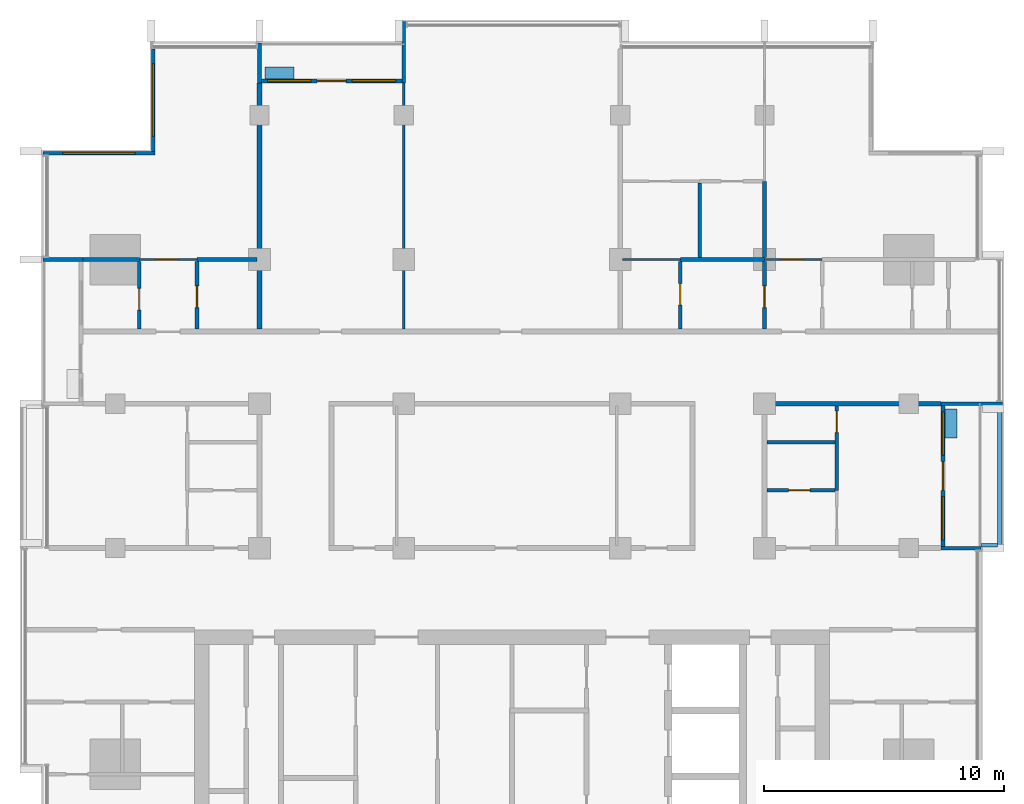
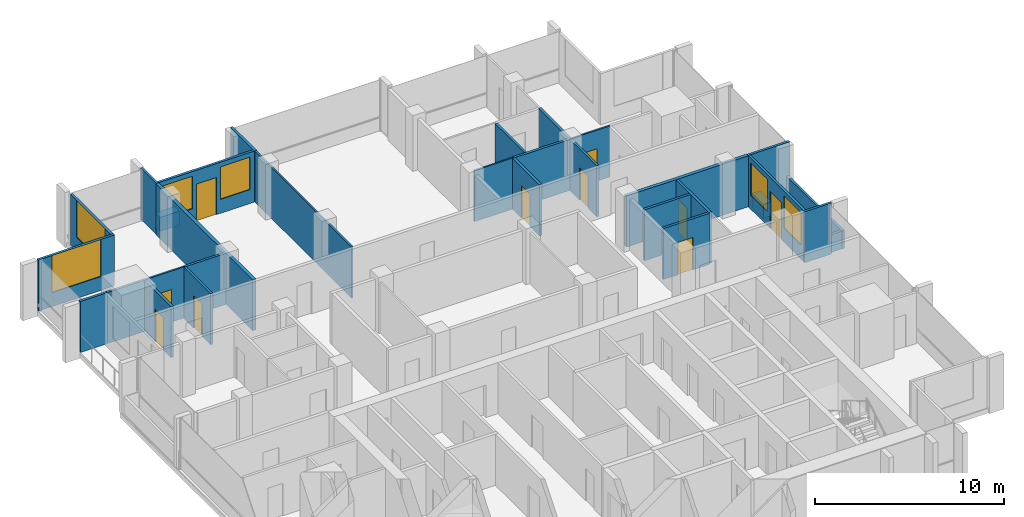
# One storey, part 10 of 16: 31 walls, 10 doors, 6 windows, 16 openings.
"""IFC4 building model written with IfcOpenShell, lengths in metres."""

from ifc_helpers import new_model, si_unit, direction, frame, frame_2d, origin, place, context, subcontext, project, spatial, rectangle, extrude, material, layer, layer_set, type_object, element, fill, save


model = new_model("IFC4")

# Units and contexts
model_context = context("Model", 3, precision=1e-05, world=origin(), true_north=direction((0.0, 1.0)))
body_context = subcontext(model_context, "Body", "Model", "MODEL_VIEW")
ifc_project = project(units=[si_unit("LENGTHUNIT", "METRE"), si_unit("AREAUNIT", "SQUARE_METRE"), si_unit("VOLUMEUNIT", "CUBIC_METRE"), si_unit("PLANEANGLEUNIT", "RADIAN"), si_unit("MASSUNIT", "GRAM", prefix="KILO")], contexts=[model_context])

# Site, building, storey
site_placement = place(None, origin())
site = spatial("IfcSite", under=ifc_project, at=site_placement, CompositionType="ELEMENT")
building_placement = place(site_placement, origin())
building = spatial("IfcBuilding", under=site, at=building_placement, Name="Finial Court Residences", CompositionType="ELEMENT")
storey_placement = place(building_placement, frame((0.0, 0.0, 208.699951171875)))
storey = spatial("IfcBuildingStorey", under=building, at=storey_placement, Name="L52", CompositionType="ELEMENT", Elevation=208.699951171875)

# Walls
ifc_material_1 = material(Name="Gypsum board")
ifc_layer_1 = layer(ifc_material_1, 0.02490234375)
ifc_material_2 = material(Name="Acoustic mineral wool in double frame")
ifc_layer_2 = layer(ifc_material_2, 0.14990234375)
ifc_layer_3 = layer(ifc_material_1, 0.02490234375)
ifc_layer_set_1 = layer_set([ifc_layer_1, ifc_layer_2, ifc_layer_3], Name="Corridor wall 200, 1 hour")
wall_type_1 = type_object("IfcWallType", Name="Corridor wall 200, 1 hour", PredefinedType="PARTITIONING", material=ifc_layer_set_1)
wall_1_placement = place(storey_placement, frame((10.39990234375, 1.5, 0.0), z_axis=(0.0, 0.0, 1.0), x_axis=(1.0, 0.0, 0.0)))
element("IfcWall", 1, at=wall_1_placement, inside=storey, type_object=wall_type_1, Name="Partition L52-015", PredefinedType="PARTITIONING", context=body_context, shape_type="SweptSolid", body=[
    extrude(rectangle(XDim=7.4501953125, YDim=0.199951171875, at=frame_2d((3.72509765625, 0.0))), origin(), (0.0, 0.0, 1.0), 3.300048828125),
])
wall_2_placement = place(storey_placement, frame((-10.5, 4.60009765625, 0.0), z_axis=(0.0, 0.0, 1.0), x_axis=(0.0, 1.0, 0.0)))
element("IfcWall", 2, at=wall_2_placement, inside=storey, type_object=wall_type_1, Name="Partition L52-032", PredefinedType="PARTITIONING", context=body_context, shape_type="SweptSolid", body=[
    extrude(rectangle(XDim=10.25, YDim=0.199951171875, at=frame_2d((5.125, 0.0))), origin(), (0.0, 0.0, 1.0), 3.300048828125),
])

# Wall, opening, door
ifc_layer_4 = layer(ifc_material_1, 0.012451171875)
ifc_material_3 = material(Name="Mineral wool in light-gauge frame")
ifc_layer_5 = layer(ifc_material_3, 0.074951171875)
ifc_layer_6 = layer(ifc_material_1, 0.012451171875)
ifc_layer_set_2 = layer_set([ifc_layer_4, ifc_layer_5, ifc_layer_6], Name="Gypsum board partition 100")
wall_type_2 = type_object("IfcWallType", Name="Gypsum board partition 100", PredefinedType="PARTITIONING", material=ifc_layer_set_2)
wall_3_placement = place(storey_placement, frame((-15.5, 7.5, 0.0), z_axis=(0.0, 0.0, 1.0), x_axis=(1.0, 0.0, 0.0)))
wall_3 = element("IfcWall", 3, at=wall_3_placement, inside=storey, type_object=wall_type_2, Name="Partition L52-017", PredefinedType="PARTITIONING", context=body_context, shape_type="SweptSolid", body=[
    extrude(rectangle(XDim=2.39990234375, YDim=0.10009765625, at=frame_2d((1.199951171875, 0.0))), origin(), (0.0, 0.0, 1.0), 3.300048828125),
])
opening_1_placement = place(wall_3_placement, frame((0.699951171875, 0.0, 0.0)))
opening_1 = element("IfcOpeningElement", 4, at=opening_1_placement, cuts=wall_3, Name="Opening L52-D020", PredefinedType="OPENING", context=body_context, shape_type="SweptSolid", body=[
    extrude(rectangle(XDim=0.89990234375, YDim=2.10009765625, at=frame_2d((0.449951171875, 1.050048828125))), frame((0.0, 0.06005859375, 0.0), z_axis=(0.0, -1.0, 0.0), x_axis=(1.0, 0.0, 0.0)), (0.0, 0.0, 1.0), 0.1201171875),
])
ifc_material_4 = material(Name="Timber door leaf in timber frame", Category="wood")
door_type_1 = type_object("IfcDoorType", Name="Door set 900 x 2100", OperationType="SINGLE_SWING_LEFT", PredefinedType="DOOR", material=ifc_material_4)
door_1_placement = place(opening_1_placement, origin())
door_1 = element("IfcDoor", 5, at=door_1_placement, inside=storey, type_object=door_type_1, Name="Door L52-D020", OperationType="SINGLE_SWING_RIGHT", OverallHeight=2.10009765625, OverallWidth=0.89990234375, PredefinedType="DOOR", context=body_context, shape_type="SweptSolid", body=[
    extrude(rectangle(XDim=0.89990234375, YDim=2.10009765625, at=frame_2d((0.449951171875, 1.050048828125))), frame((0.0, 0.02490234375, 0.0), z_axis=(0.0, -1.0, 0.0), x_axis=(1.0, 0.0, 0.0)), (0.0, 0.0, 1.0), 0.050048828125),
])
fill(opening_1, door_1)

# Wall
wall_4_placement = place(storey_placement, frame((4.60009765625, 7.5, 0.0), z_axis=(0.0, 0.0, 1.0), x_axis=(1.0, 0.0, 0.0)))
element("IfcWall", 6, at=wall_4_placement, inside=storey, type_object=wall_type_2, Name="Partition L52-018", PredefinedType="PARTITIONING", context=body_context, shape_type="SweptSolid", body=[
    extrude(rectangle(XDim=2.39990234375, YDim=0.10009765625, at=frame_2d((1.199951171875, 0.0))), origin(), (0.0, 0.0, 1.0), 3.300048828125),
])

# Wall, opening, door
wall_5_placement = place(storey_placement, frame((10.5, 7.5, 0.0), z_axis=(0.0, 0.0, 1.0), x_axis=(1.0, 0.0, 0.0)))
wall_5 = element("IfcWall", 7, at=wall_5_placement, inside=storey, type_object=wall_type_2, Name="Partition L52-019", PredefinedType="PARTITIONING", context=body_context, shape_type="SweptSolid", body=[
    extrude(rectangle(XDim=2.39990234375, YDim=0.10009765625, at=frame_2d((1.199951171875, 0.0))), origin(), (0.0, 0.0, 1.0), 3.300048828125),
])
opening_2_placement = place(wall_5_placement, frame((0.699951171875, 0.0, 0.0)))
opening_2 = element("IfcOpeningElement", 8, at=opening_2_placement, cuts=wall_5, Name="Opening L52-D021", PredefinedType="OPENING", context=body_context, shape_type="SweptSolid", body=[
    extrude(rectangle(XDim=0.89990234375, YDim=2.10009765625, at=frame_2d((0.449951171875, 1.050048828125))), frame((0.0, 0.06005859375, 0.0), z_axis=(0.0, -1.0, 0.0), x_axis=(1.0, 0.0, 0.0)), (0.0, 0.0, 1.0), 0.1201171875),
])
door_2_placement = place(opening_2_placement, origin())
door_2 = element("IfcDoor", 9, at=door_2_placement, inside=storey, type_object=door_type_1, Name="Door L52-D021", OperationType="SINGLE_SWING_LEFT", OverallHeight=2.10009765625, OverallWidth=0.89990234375, PredefinedType="DOOR", context=body_context, shape_type="SweptSolid", body=[
    extrude(rectangle(XDim=0.89990234375, YDim=2.10009765625, at=frame_2d((0.449951171875, 1.050048828125))), frame((0.0, 0.02490234375, 0.0), z_axis=(0.0, -1.0, 0.0), x_axis=(1.0, 0.0, 0.0)), (0.0, 0.0, 1.0), 0.050048828125),
])
fill(opening_2, door_2)

# Wall
wall_6_placement = place(storey_placement, frame((-4.5, 4.60009765625, 0.0), z_axis=(0.0, 0.0, 1.0), x_axis=(0.0, 1.0, 0.0)))
element("IfcWall", 10, at=wall_6_placement, inside=storey, type_object=wall_type_2, Name="Partition L52-035", PredefinedType="PARTITIONING", context=body_context, shape_type="SweptSolid", body=[
    extrude(rectangle(XDim=10.25, YDim=0.10009765625, at=frame_2d((5.125, 0.0))), origin(), (0.0, 0.0, 1.0), 3.300048828125),
])

# Wall, opening, door
ifc_material_5 = material(Name="Moisture-resistant gypsum board")
ifc_layer_7 = layer(ifc_material_5, 0.012451171875)
ifc_layer_8 = layer(ifc_material_3, 0.125)
ifc_layer_9 = layer(ifc_material_5, 0.012451171875)
ifc_layer_set_3 = layer_set([ifc_layer_7, ifc_layer_8, ifc_layer_9], Name="Gypsum board wet-area partition 150")
wall_type_3 = type_object("IfcWallType", Name="Gypsum board wet-area partition 150", PredefinedType="PARTITIONING", material=ifc_layer_set_3)
wall_7_placement = place(storey_placement, frame((10.60009765625, -2.10009765625, 0.0), z_axis=(0.0, 0.0, 1.0), x_axis=(1.0, 0.0, 0.0)))
wall_7 = element("IfcWall", 11, at=wall_7_placement, inside=storey, type_object=wall_type_3, Name="Partition L52-010", PredefinedType="PARTITIONING", context=body_context, shape_type="SweptSolid", body=[
    extrude(rectangle(XDim=2.824951171875, YDim=0.14990234375, at=frame_2d((1.41259765625, 0.0))), origin(), (0.0, 0.0, 1.0), 3.300048828125),
])
opening_3_placement = place(wall_7_placement, frame((0.89990234375, 0.0, 0.0)))
opening_3 = element("IfcOpeningElement", 12, at=opening_3_placement, cuts=wall_7, Name="Opening L52-D015", PredefinedType="OPENING", context=body_context, shape_type="SweptSolid", body=[
    extrude(rectangle(XDim=0.89990234375, YDim=2.10009765625, at=frame_2d((0.449951171875, 1.050048828125))), frame((0.0, 0.0849609375, 0.0), z_axis=(0.0, -1.0, 0.0), x_axis=(1.0, 0.0, 0.0)), (0.0, 0.0, 1.0), 0.169921875),
])
door_3_placement = place(opening_3_placement, origin())
door_3 = element("IfcDoor", 13, at=door_3_placement, inside=storey, type_object=door_type_1, Name="Door L52-D015", OperationType="SINGLE_SWING_LEFT", OverallHeight=2.10009765625, OverallWidth=0.89990234375, PredefinedType="DOOR", context=body_context, shape_type="SweptSolid", body=[
    extrude(rectangle(XDim=0.89990234375, YDim=2.10009765625, at=frame_2d((0.449951171875, 1.050048828125))), frame((0.0, 0.02490234375, 0.0), z_axis=(0.0, -1.0, 0.0), x_axis=(1.0, 0.0, 0.0)), (0.0, 0.0, 1.0), 0.050048828125),
])
fill(opening_3, door_3)

# Walls
wall_8_placement = place(storey_placement, frame((10.60009765625, -0.10009765625, 0.0), z_axis=(0.0, 0.0, 1.0), x_axis=(1.0, 0.0, 0.0)))
element("IfcWall", 14, at=wall_8_placement, inside=storey, type_object=wall_type_3, Name="Partition L52-012", PredefinedType="PARTITIONING", context=body_context, shape_type="SweptSolid", body=[
    extrude(rectangle(XDim=2.824951171875, YDim=0.14990234375, at=frame_2d((1.41259765625, 0.0))), origin(), (0.0, 0.0, 1.0), 3.300048828125),
])
wall_9_placement = place(storey_placement, frame((-17.85009765625, 7.5, 0.0), z_axis=(0.0, 0.0, 1.0), x_axis=(1.0, 0.0, 0.0)))
element("IfcWall", 15, at=wall_9_placement, inside=storey, type_object=wall_type_3, Name="Partition L52-020", PredefinedType="PARTITIONING", context=body_context, shape_type="SweptSolid", body=[
    extrude(rectangle(XDim=2.35009765625, YDim=0.14990234375, at=frame_2d((1.175048828125, 0.0))), origin(), (0.0, 0.0, 1.0), 3.300048828125),
])
wall_10_placement = place(storey_placement, frame((-13.10009765625, 7.5, 0.0), z_axis=(0.0, 0.0, 1.0), x_axis=(1.0, 0.0, 0.0)))
element("IfcWall", 16, at=wall_10_placement, inside=storey, type_object=wall_type_3, Name="Partition L52-021", PredefinedType="PARTITIONING", context=body_context, shape_type="SweptSolid", body=[
    extrude(rectangle(XDim=2.5, YDim=0.14990234375, at=frame_2d((1.25, 0.0))), origin(), (0.0, 0.0, 1.0), 3.300048828125),
])
wall_11_placement = place(storey_placement, frame((7.0, 7.5, 0.0), z_axis=(0.0, 0.0, 1.0), x_axis=(1.0, 0.0, 0.0)))
element("IfcWall", 17, at=wall_11_placement, inside=storey, type_object=wall_type_3, Name="Partition L52-022", PredefinedType="PARTITIONING", context=body_context, shape_type="SweptSolid", body=[
    extrude(rectangle(XDim=3.5, YDim=0.14990234375, at=frame_2d((1.75, 0.0))), origin(), (0.0, 0.0, 1.0), 3.300048828125),
])

# Wall, opening, door
wall_12_placement = place(storey_placement, frame((-15.5, 4.60009765625, 0.0), z_axis=(0.0, 0.0, 1.0), x_axis=(0.0, 1.0, 0.0)))
wall_12 = element("IfcWall", 18, at=wall_12_placement, inside=storey, type_object=wall_type_3, Name="Partition L52-027", PredefinedType="PARTITIONING", context=body_context, shape_type="SweptSolid", body=[
    extrude(rectangle(XDim=2.824951171875, YDim=0.14990234375, at=frame_2d((1.41259765625, 0.0))), origin(), (0.0, 0.0, 1.0), 3.300048828125),
])
opening_4_placement = place(wall_12_placement, frame((0.800048828125, 0.0, 0.0)))
opening_4 = element("IfcOpeningElement", 19, at=opening_4_placement, cuts=wall_12, Name="Opening L52-D024", PredefinedType="OPENING", context=body_context, shape_type="SweptSolid", body=[
    extrude(rectangle(XDim=0.89990234375, YDim=2.10009765625, at=frame_2d((0.449951171875, 1.050048828125))), frame((0.0, 0.0849609375, 0.0), z_axis=(0.0, -1.0, 0.0), x_axis=(1.0, 0.0, 0.0)), (0.0, 0.0, 1.0), 0.169921875),
])
door_4_placement = place(opening_4_placement, origin())
door_4 = element("IfcDoor", 20, at=door_4_placement, inside=storey, type_object=door_type_1, Name="Door L52-D024", OperationType="SINGLE_SWING_RIGHT", OverallHeight=2.10009765625, OverallWidth=0.89990234375, PredefinedType="DOOR", context=body_context, shape_type="SweptSolid", body=[
    extrude(rectangle(XDim=0.89990234375, YDim=2.10009765625, at=frame_2d((0.449951171875, 1.050048828125))), frame((0.0, 0.02490234375, 0.0), z_axis=(0.0, -1.0, 0.0), x_axis=(1.0, 0.0, 0.0)), (0.0, 0.0, 1.0), 0.050048828125),
])
fill(opening_4, door_4)

wall_13_placement = place(storey_placement, frame((-13.10009765625, 4.60009765625, 0.0), z_axis=(0.0, 0.0, 1.0), x_axis=(0.0, 1.0, 0.0)))
wall_13 = element("IfcWall", 21, at=wall_13_placement, inside=storey, type_object=wall_type_3, Name="Partition L52-030", PredefinedType="PARTITIONING", context=body_context, shape_type="SweptSolid", body=[
    extrude(rectangle(XDim=2.824951171875, YDim=0.14990234375, at=frame_2d((1.41259765625, 0.0))), origin(), (0.0, 0.0, 1.0), 3.300048828125),
])
opening_5_placement = place(wall_13_placement, frame((0.89990234375, 0.0, 0.0)))
opening_5 = element("IfcOpeningElement", 22, at=opening_5_placement, cuts=wall_13, Name="Opening L52-D027", PredefinedType="OPENING", context=body_context, shape_type="SweptSolid", body=[
    extrude(rectangle(XDim=0.89990234375, YDim=2.10009765625, at=frame_2d((0.449951171875, 1.050048828125))), frame((0.0, 0.0849609375, 0.0), z_axis=(0.0, -1.0, 0.0), x_axis=(1.0, 0.0, 0.0)), (0.0, 0.0, 1.0), 0.169921875),
])
door_5_placement = place(opening_5_placement, origin())
door_5 = element("IfcDoor", 23, at=door_5_placement, inside=storey, type_object=door_type_1, Name="Door L52-D027", OperationType="SINGLE_SWING_LEFT", OverallHeight=2.10009765625, OverallWidth=0.89990234375, PredefinedType="DOOR", context=body_context, shape_type="SweptSolid", body=[
    extrude(rectangle(XDim=0.89990234375, YDim=2.10009765625, at=frame_2d((0.449951171875, 1.050048828125))), frame((0.0, 0.02490234375, 0.0), z_axis=(0.0, -1.0, 0.0), x_axis=(1.0, 0.0, 0.0)), (0.0, 0.0, 1.0), 0.050048828125),
])
fill(opening_5, door_5)

wall_14_placement = place(storey_placement, frame((7.0, 4.60009765625, 0.0), z_axis=(0.0, 0.0, 1.0), x_axis=(0.0, 1.0, 0.0)))
wall_14 = element("IfcWall", 24, at=wall_14_placement, inside=storey, type_object=wall_type_3, Name="Partition L52-038", PredefinedType="PARTITIONING", context=body_context, shape_type="SweptSolid", body=[
    extrude(rectangle(XDim=2.824951171875, YDim=0.14990234375, at=frame_2d((1.41259765625, 0.0))), origin(), (0.0, 0.0, 1.0), 3.300048828125),
])
opening_6_placement = place(wall_14_placement, frame((1.0, 0.0, 0.0)))
opening_6 = element("IfcOpeningElement", 25, at=opening_6_placement, cuts=wall_14, Name="Opening L52-D028", PredefinedType="OPENING", context=body_context, shape_type="SweptSolid", body=[
    extrude(rectangle(XDim=0.89990234375, YDim=2.10009765625, at=frame_2d((0.449951171875, 1.050048828125))), frame((0.0, 0.0849609375, 0.0), z_axis=(0.0, -1.0, 0.0), x_axis=(1.0, 0.0, 0.0)), (0.0, 0.0, 1.0), 0.169921875),
])
door_6_placement = place(opening_6_placement, origin())
door_6 = element("IfcDoor", 26, at=door_6_placement, inside=storey, type_object=door_type_1, Name="Door L52-D028", OperationType="SINGLE_SWING_RIGHT", OverallHeight=2.10009765625, OverallWidth=0.89990234375, PredefinedType="DOOR", context=body_context, shape_type="SweptSolid", body=[
    extrude(rectangle(XDim=0.89990234375, YDim=2.10009765625, at=frame_2d((0.449951171875, 1.050048828125))), frame((0.0, 0.02490234375, 0.0), z_axis=(0.0, -1.0, 0.0), x_axis=(1.0, 0.0, 0.0)), (0.0, 0.0, 1.0), 0.050048828125),
])
fill(opening_6, door_6)

# Wall
wall_15_placement = place(storey_placement, frame((7.800048828125, 7.574951171875, 0.0), z_axis=(0.0, 0.0, 1.0), x_axis=(0.0, 1.0, 0.0)))
element("IfcWall", 27, at=wall_15_placement, inside=storey, type_object=wall_type_3, Name="Partition L52-040", PredefinedType="PARTITIONING", context=body_context, shape_type="SweptSolid", body=[
    extrude(rectangle(XDim=3.10009765625, YDim=0.14990234375, at=frame_2d((1.550048828125, 0.0))), origin(), (0.0, 0.0, 1.0), 3.300048828125),
])

# Wall, opening, door
wall_16_placement = place(storey_placement, frame((10.5, 4.60009765625, 0.0), z_axis=(0.0, 0.0, 1.0), x_axis=(0.0, 1.0, 0.0)))
wall_16 = element("IfcWall", 28, at=wall_16_placement, inside=storey, type_object=wall_type_3, Name="Partition L52-043", PredefinedType="PARTITIONING", context=body_context, shape_type="SweptSolid", body=[
    extrude(rectangle(XDim=2.824951171875, YDim=0.14990234375, at=frame_2d((1.41259765625, 0.0))), origin(), (0.0, 0.0, 1.0), 3.300048828125),
])
opening_7_placement = place(wall_16_placement, frame((0.89990234375, 0.0, 0.0)))
opening_7 = element("IfcOpeningElement", 29, at=opening_7_placement, cuts=wall_16, Name="Opening L52-D030", PredefinedType="OPENING", context=body_context, shape_type="SweptSolid", body=[
    extrude(rectangle(XDim=0.89990234375, YDim=2.10009765625, at=frame_2d((0.449951171875, 1.050048828125))), frame((0.0, 0.0849609375, 0.0), z_axis=(0.0, -1.0, 0.0), x_axis=(1.0, 0.0, 0.0)), (0.0, 0.0, 1.0), 0.169921875),
])
door_7_placement = place(opening_7_placement, origin())
door_7 = element("IfcDoor", 30, at=door_7_placement, inside=storey, type_object=door_type_1, Name="Door L52-D030", OperationType="SINGLE_SWING_RIGHT", OverallHeight=2.10009765625, OverallWidth=0.89990234375, PredefinedType="DOOR", context=body_context, shape_type="SweptSolid", body=[
    extrude(rectangle(XDim=0.89990234375, YDim=2.10009765625, at=frame_2d((0.449951171875, 1.050048828125))), frame((0.0, 0.02490234375, 0.0), z_axis=(0.0, -1.0, 0.0), x_axis=(1.0, 0.0, 0.0)), (0.0, 0.0, 1.0), 0.050048828125),
])
fill(opening_7, door_7)

# Wall
wall_17_placement = place(storey_placement, frame((10.5, 7.574951171875, 0.0), z_axis=(0.0, 0.0, 1.0), x_axis=(0.0, 1.0, 0.0)))
element("IfcWall", 31, at=wall_17_placement, inside=storey, type_object=wall_type_3, Name="Partition L52-044", PredefinedType="PARTITIONING", context=body_context, shape_type="SweptSolid", body=[
    extrude(rectangle(XDim=3.175048828125, YDim=0.14990234375, at=frame_2d((1.58740234375, 0.0))), origin(), (0.0, 0.0, 1.0), 3.300048828125),
])

# Wall, opening, door
wall_18_placement = place(storey_placement, frame((13.5, -2.10009765625, 0.0), z_axis=(0.0, 0.0, 1.0), x_axis=(0.0, 1.0, 0.0)))
wall_18 = element("IfcWall", 32, at=wall_18_placement, inside=storey, type_object=wall_type_3, Name="Partition L52-047", PredefinedType="PARTITIONING", context=body_context, shape_type="SweptSolid", body=[
    extrude(rectangle(XDim=3.5, YDim=0.14990234375, at=frame_2d((1.75, 0.0))), origin(), (0.0, 0.0, 1.0), 3.300048828125),
])
opening_8_placement = place(wall_18_placement, frame((2.39990234375, 0.0, 0.0)))
opening_8 = element("IfcOpeningElement", 33, at=opening_8_placement, cuts=wall_18, Name="Opening L52-D033", PredefinedType="OPENING", context=body_context, shape_type="SweptSolid", body=[
    extrude(rectangle(XDim=0.89990234375, YDim=2.10009765625, at=frame_2d((0.449951171875, 1.050048828125))), frame((0.0, 0.0849609375, 0.0), z_axis=(0.0, -1.0, 0.0), x_axis=(1.0, 0.0, 0.0)), (0.0, 0.0, 1.0), 0.169921875),
])
door_8_placement = place(opening_8_placement, origin())
door_8 = element("IfcDoor", 34, at=door_8_placement, inside=storey, type_object=door_type_1, Name="Door L52-D033", OperationType="SINGLE_SWING_LEFT", OverallHeight=2.10009765625, OverallWidth=0.89990234375, PredefinedType="DOOR", context=body_context, shape_type="SweptSolid", body=[
    extrude(rectangle(XDim=0.89990234375, YDim=2.10009765625, at=frame_2d((0.449951171875, 1.050048828125))), frame((0.0, 0.02490234375, 0.0), z_axis=(0.0, -1.0, 0.0), x_axis=(1.0, 0.0, 0.0)), (0.0, 0.0, 1.0), 0.050048828125),
])
fill(opening_8, door_8)

# Walls
ifc_material_6 = material(Name="Concrete C35/45", Category="concrete")
ifc_layer_10 = layer(ifc_material_6, 0.14990234375)
ifc_layer_set_4 = layer_set([ifc_layer_10], Name="Ledge parapet, Concrete C35/45 150")
wall_type_4 = type_object("IfcWallType", Name="Ledge parapet, Concrete C35/45 150", PredefinedType="PARAPET", material=ifc_layer_set_4)
wall_19_placement = place(storey_placement, frame((20.27490234375, 1.489990234375, 0.0), z_axis=(0.0, 0.0, 1.0), x_axis=(0.0, -1.0, 0.0)))
element("IfcWall", 35, at=wall_19_placement, inside=storey, type_object=wall_type_4, Name="E-L52-LED2-P1", PredefinedType="PARAPET", context=body_context, shape_type="SweptSolid", body=[
    extrude(rectangle(XDim=5.93994140625, YDim=0.14990234375, at=frame_2d((2.969970703125, 0.0))), origin(), (0.0, 0.0, 1.0), 1.150146484375),
])
wall_20_placement = place(storey_placement, frame((20.199951171875, -4.375, 0.0), z_axis=(0.0, 0.0, 1.0), x_axis=(-1.0, 0.0, 0.0)))
element("IfcWall", 36, at=wall_20_placement, inside=storey, type_object=wall_type_4, Name="E-L52-LED2-P2", PredefinedType="PARAPET", context=body_context, shape_type="SweptSolid", body=[
    extrude(rectangle(XDim=0.68994140625, YDim=0.14990234375, at=frame_2d((0.344970703125, 0.0))), origin(), (0.0, 0.0, 1.0), 1.150146484375),
])

# Wall, opening, window
ifc_material_7 = material(Name="Natural limestone", Category="masonry")
ifc_layer_11 = layer(ifc_material_7, 0.14990234375)
ifc_layer_set_5 = layer_set([ifc_layer_11], Name="Limestone clad wall 150")
wall_type_5 = type_object("IfcWallType", Name="Limestone clad wall 150", PredefinedType="SOLIDWALL", material=ifc_layer_set_5)
wall_21_placement = place(storey_placement, frame((-14.925048828125, 12.0, 0.0), z_axis=(0.0, 0.0, 1.0), x_axis=(0.0, 1.0, 0.0)))
wall_21 = element("IfcWall", 37, at=wall_21_placement, inside=storey, type_object=wall_type_5, Name="E-L52-NWW17", PredefinedType="SOLIDWALL", context=body_context, shape_type="SweptSolid", body=[
    extrude(rectangle(XDim=4.262451171875, YDim=0.14990234375, at=frame_2d((2.13134765625, 0.0))), origin(), (0.0, 0.0, 1.0), 3.300048828125),
])
opening_9_placement = place(wall_21_placement, frame((0.631103515625, 0.0, 0.89990234375)))
opening_9 = element("IfcOpeningElement", 38, at=opening_9_placement, cuts=wall_21, Name="Opening WE52-05", PredefinedType="OPENING", context=body_context, shape_type="SweptSolid", body=[
    extrude(rectangle(XDim=3.0, YDim=2.39990234375, at=frame_2d((1.5, 1.199951171875))), frame((0.0, 0.0849609375, 0.0), z_axis=(0.0, -1.0, 0.0), x_axis=(1.0, 0.0, 0.0)), (0.0, 0.0, 1.0), 0.169921875),
])
ifc_material_8 = material(Name="Clear low-e glass", Category="glass")
window_type_1 = type_object("IfcWindowType", Name="Corner window 3000 x 2400", PartitioningType="SINGLE_PANEL", PredefinedType="WINDOW", material=ifc_material_8)
window_1_placement = place(opening_9_placement, origin())
window_1 = element("IfcWindow", 39, at=window_1_placement, inside=storey, type_object=window_type_1, Name="E-L52-NWW17-W1", OverallHeight=2.39990234375, OverallWidth=3.0, PartitioningType="SINGLE_PANEL", PredefinedType="WINDOW", context=body_context, shape_type="SweptSolid", body=[
    extrude(rectangle(XDim=3.0, YDim=2.39990234375, at=frame_2d((1.5, 1.199951171875))), frame((0.0, 0.030029296875, 0.0), z_axis=(0.0, -1.0, 0.0), x_axis=(1.0, 0.0, 0.0)), (0.0, 0.0, 1.0), 0.06005859375),
])
fill(opening_9, window_1)

wall_22_placement = place(storey_placement, frame((-19.5, 11.925048828125, 0.0), z_axis=(0.0, 0.0, 1.0), x_axis=(1.0, 0.0, 0.0)))
wall_22 = element("IfcWall", 40, at=wall_22_placement, inside=storey, type_object=wall_type_5, Name="E-L52-NWN18", PredefinedType="SOLIDWALL", context=body_context, shape_type="SweptSolid", body=[
    extrude(rectangle(XDim=4.64990234375, YDim=0.14990234375, at=frame_2d((2.324951171875, 0.0))), origin(), (0.0, 0.0, 1.0), 3.300048828125),
])
opening_10_placement = place(wall_22_placement, frame((0.824951171875, 0.0, 0.89990234375)))
opening_10 = element("IfcOpeningElement", 41, at=opening_10_placement, cuts=wall_22, Name="Opening WE52-06", PredefinedType="OPENING", context=body_context, shape_type="SweptSolid", body=[
    extrude(rectangle(XDim=3.0, YDim=2.39990234375, at=frame_2d((1.5, 1.199951171875))), frame((0.0, 0.0849609375, 0.0), z_axis=(0.0, -1.0, 0.0), x_axis=(1.0, 0.0, 0.0)), (0.0, 0.0, 1.0), 0.169921875),
])
window_2_placement = place(opening_10_placement, origin())
window_2 = element("IfcWindow", 42, at=window_2_placement, inside=storey, type_object=window_type_1, Name="E-L52-NWN18-W1", OverallHeight=2.39990234375, OverallWidth=3.0, PartitioningType="SINGLE_PANEL", PredefinedType="WINDOW", context=body_context, shape_type="SweptSolid", body=[
    extrude(rectangle(XDim=3.0, YDim=2.39990234375, at=frame_2d((1.5, 1.199951171875))), frame((0.0, 0.030029296875, 0.0), z_axis=(0.0, -1.0, 0.0), x_axis=(1.0, 0.0, 0.0)), (0.0, 0.0, 1.0), 0.06005859375),
])
fill(opening_10, window_2)

# Walls
wall_23_placement = place(storey_placement, frame((-10.5, 14.85009765625, 0.0), z_axis=(0.0, 0.0, 1.0), x_axis=(0.0, 1.0, 0.0)))
element("IfcWall", 43, at=wall_23_placement, inside=storey, type_object=wall_type_5, Name="E-L52-BALN2-P1", PredefinedType="SOLIDWALL", context=body_context, shape_type="SweptSolid", body=[
    extrude(rectangle(XDim=1.64990234375, YDim=0.14990234375, at=frame_2d((0.824951171875, 0.0))), origin(), (0.0, 0.0, 1.0), 3.300048828125),
])
wall_24_placement = place(storey_placement, frame((-4.5, 14.85009765625, 0.0), z_axis=(0.0, 0.0, 1.0), x_axis=(0.0, 1.0, 0.0)))
element("IfcWall", 44, at=wall_24_placement, inside=storey, type_object=wall_type_5, Name="E-L52-BALN2-P2", PredefinedType="SOLIDWALL", context=body_context, shape_type="SweptSolid", body=[
    extrude(rectangle(XDim=2.5498046875, YDim=0.14990234375, at=frame_2d((1.27490234375, 0.0))), origin(), (0.0, 0.0, 1.0), 3.300048828125),
])

# Wall, openings, door, windows
wall_25_placement = place(storey_placement, frame((-10.425048828125, 14.925048828125, 0.0), z_axis=(0.0, 0.0, 1.0), x_axis=(1.0, 0.0, 0.0)))
wall_25 = element("IfcWall", 45, at=wall_25_placement, inside=storey, type_object=wall_type_5, Name="E-L52-L52-BALN2-W", PredefinedType="SOLIDWALL", context=body_context, shape_type="SweptSolid", body=[
    extrude(rectangle(XDim=5.85009765625, YDim=0.14990234375, at=frame_2d((2.925048828125, 0.0))), origin(), (0.0, 0.0, 1.0), 3.300048828125),
])
opening_11_placement = place(wall_25_placement, frame((2.324951171875, 0.0, 0.0)))
opening_11 = element("IfcOpeningElement", 46, at=opening_11_placement, cuts=wall_25, Name="Opening DE52-01", PredefinedType="OPENING", context=body_context, shape_type="SweptSolid", body=[
    extrude(rectangle(XDim=1.199951171875, YDim=2.39990234375, at=frame_2d((0.60009765625, 1.199951171875))), frame((0.0, 0.0849609375, 0.0), z_axis=(0.0, -1.0, 0.0), x_axis=(1.0, 0.0, 0.0)), (0.0, 0.0, 1.0), 0.169921875),
])
opening_12_placement = place(wall_25_placement, frame((0.262451171875, 0.0, 0.89990234375)))
opening_12 = element("IfcOpeningElement", 47, at=opening_12_placement, cuts=wall_25, Name="Opening WE52-09", PredefinedType="OPENING", context=body_context, shape_type="SweptSolid", body=[
    extrude(rectangle(XDim=1.800048828125, YDim=2.10009765625, at=frame_2d((0.89990234375, 1.050048828125))), frame((0.0, 0.0849609375, 0.0), z_axis=(0.0, -1.0, 0.0), x_axis=(1.0, 0.0, 0.0)), (0.0, 0.0, 1.0), 0.169921875),
])
opening_13_placement = place(wall_25_placement, frame((3.78759765625, 0.0, 0.89990234375)))
opening_13 = element("IfcOpeningElement", 48, at=opening_13_placement, cuts=wall_25, Name="Opening WE52-10", PredefinedType="OPENING", context=body_context, shape_type="SweptSolid", body=[
    extrude(rectangle(XDim=1.800048828125, YDim=2.10009765625, at=frame_2d((0.89990234375, 1.050048828125))), frame((0.0, 0.0849609375, 0.0), z_axis=(0.0, -1.0, 0.0), x_axis=(1.0, 0.0, 0.0)), (0.0, 0.0, 1.0), 0.169921875),
])
ifc_material_9 = material(Name="Bronze anodised aluminium", Category="aluminium")
door_type_2 = type_object("IfcDoorType", Name="Balcony door 1200 x 2400", OperationType="SINGLE_SWING_LEFT", PredefinedType="DOOR", material=ifc_material_9)
door_9_placement = place(opening_11_placement, origin())
door_9 = element("IfcDoor", 49, at=door_9_placement, inside=storey, type_object=door_type_2, Name="E-L52-L52-BALN2-W-D", OperationType="SINGLE_SWING_RIGHT", OverallHeight=2.39990234375, OverallWidth=1.199951171875, PredefinedType="DOOR", context=body_context, shape_type="SweptSolid", body=[
    extrude(rectangle(XDim=1.199951171875, YDim=2.39990234375, at=frame_2d((0.60009765625, 1.199951171875))), frame((0.0, 0.02490234375, 0.0), z_axis=(0.0, -1.0, 0.0), x_axis=(1.0, 0.0, 0.0)), (0.0, 0.0, 1.0), 0.050048828125),
])
fill(opening_11, door_9)
window_type_2 = type_object("IfcWindowType", Name="Balcony window 1800 x 2100", PartitioningType="SINGLE_PANEL", PredefinedType="WINDOW", material=ifc_material_8)
window_3_placement = place(opening_12_placement, origin())
window_3 = element("IfcWindow", 50, at=window_3_placement, inside=storey, type_object=window_type_2, Name="E-L52-L52-BALN2-W-W1", OverallHeight=2.10009765625, OverallWidth=1.800048828125, PartitioningType="SINGLE_PANEL", PredefinedType="WINDOW", context=body_context, shape_type="SweptSolid", body=[
    extrude(rectangle(XDim=1.800048828125, YDim=2.10009765625, at=frame_2d((0.89990234375, 1.050048828125))), frame((0.0, 0.030029296875, 0.0), z_axis=(0.0, -1.0, 0.0), x_axis=(1.0, 0.0, 0.0)), (0.0, 0.0, 1.0), 0.06005859375),
])
fill(opening_12, window_3)
window_4_placement = place(opening_13_placement, origin())
window_4 = element("IfcWindow", 51, at=window_4_placement, inside=storey, type_object=window_type_2, Name="E-L52-L52-BALN2-W-W2", OverallHeight=2.10009765625, OverallWidth=1.800048828125, PartitioningType="SINGLE_PANEL", PredefinedType="WINDOW", context=body_context, shape_type="SweptSolid", body=[
    extrude(rectangle(XDim=1.800048828125, YDim=2.10009765625, at=frame_2d((0.89990234375, 1.050048828125))), frame((0.0, 0.030029296875, 0.0), z_axis=(0.0, -1.0, 0.0), x_axis=(1.0, 0.0, 0.0)), (0.0, 0.0, 1.0), 0.06005859375),
])
fill(opening_13, window_4)

# Walls
wall_26_placement = place(storey_placement, frame((17.85009765625, -4.5, 0.0), z_axis=(0.0, 0.0, 1.0), x_axis=(1.0, 0.0, 0.0)))
element("IfcWall", 52, at=wall_26_placement, inside=storey, type_object=wall_type_5, Name="E-L52-BALE3-P1", PredefinedType="SOLIDWALL", context=body_context, shape_type="SweptSolid", body=[
    extrude(rectangle(XDim=1.64990234375, YDim=0.14990234375, at=frame_2d((0.824951171875, 0.0))), origin(), (0.0, 0.0, 1.0), 3.300048828125),
])
wall_27_placement = place(storey_placement, frame((17.85009765625, 1.5, 0.0), z_axis=(0.0, 0.0, 1.0), x_axis=(1.0, 0.0, 0.0)))
element("IfcWall", 53, at=wall_27_placement, inside=storey, type_object=wall_type_5, Name="E-L52-BALE3-P2", PredefinedType="SOLIDWALL", context=body_context, shape_type="SweptSolid", body=[
    extrude(rectangle(XDim=2.5498046875, YDim=0.14990234375, at=frame_2d((1.27490234375, 0.0))), origin(), (0.0, 0.0, 1.0), 3.300048828125),
])

# Wall, openings, door, windows
wall_28_placement = place(storey_placement, frame((17.925048828125, 1.425048828125, 0.0), z_axis=(0.0, 0.0, 1.0), x_axis=(0.0, -1.0, 0.0)))
wall_28 = element("IfcWall", 54, at=wall_28_placement, inside=storey, type_object=wall_type_5, Name="E-L52-L52-BALE3-W", PredefinedType="SOLIDWALL", context=body_context, shape_type="SweptSolid", body=[
    extrude(rectangle(XDim=5.85009765625, YDim=0.14990234375, at=frame_2d((2.925048828125, 0.0))), origin(), (0.0, 0.0, 1.0), 3.300048828125),
])
opening_14_placement = place(wall_28_placement, frame((2.324951171875, 0.0, 0.0)))
opening_14 = element("IfcOpeningElement", 55, at=opening_14_placement, cuts=wall_28, Name="Opening DE52-02", PredefinedType="OPENING", context=body_context, shape_type="SweptSolid", body=[
    extrude(rectangle(XDim=1.199951171875, YDim=2.39990234375, at=frame_2d((0.60009765625, 1.199951171875))), frame((0.0, 0.0849609375, 0.0), z_axis=(0.0, -1.0, 0.0), x_axis=(1.0, 0.0, 0.0)), (0.0, 0.0, 1.0), 0.169921875),
])
opening_15_placement = place(wall_28_placement, frame((3.78759765625, 0.0, 0.89990234375)))
opening_15 = element("IfcOpeningElement", 56, at=opening_15_placement, cuts=wall_28, Name="Opening WE52-11", PredefinedType="OPENING", context=body_context, shape_type="SweptSolid", body=[
    extrude(rectangle(XDim=1.800048828125, YDim=2.10009765625, at=frame_2d((0.89990234375, 1.050048828125))), frame((0.0, 0.0849609375, 0.0), z_axis=(0.0, -1.0, 0.0), x_axis=(1.0, 0.0, 0.0)), (0.0, 0.0, 1.0), 0.169921875),
])
opening_16_placement = place(wall_28_placement, frame((0.262451171875, 0.0, 0.89990234375)))
opening_16 = element("IfcOpeningElement", 57, at=opening_16_placement, cuts=wall_28, Name="Opening WE52-12", PredefinedType="OPENING", context=body_context, shape_type="SweptSolid", body=[
    extrude(rectangle(XDim=1.800048828125, YDim=2.10009765625, at=frame_2d((0.89990234375, 1.050048828125))), frame((0.0, 0.0849609375, 0.0), z_axis=(0.0, -1.0, 0.0), x_axis=(1.0, 0.0, 0.0)), (0.0, 0.0, 1.0), 0.169921875),
])
door_10_placement = place(opening_14_placement, origin())
door_10 = element("IfcDoor", 58, at=door_10_placement, inside=storey, type_object=door_type_2, Name="E-L52-L52-BALE3-W-D", OperationType="SINGLE_SWING_LEFT", OverallHeight=2.39990234375, OverallWidth=1.199951171875, PredefinedType="DOOR", context=body_context, shape_type="SweptSolid", body=[
    extrude(rectangle(XDim=1.199951171875, YDim=2.39990234375, at=frame_2d((0.60009765625, 1.199951171875))), frame((0.0, 0.02490234375, 0.0), z_axis=(0.0, -1.0, 0.0), x_axis=(1.0, 0.0, 0.0)), (0.0, 0.0, 1.0), 0.050048828125),
])
fill(opening_14, door_10)
window_5_placement = place(opening_15_placement, origin())
window_5 = element("IfcWindow", 59, at=window_5_placement, inside=storey, type_object=window_type_2, Name="E-L52-L52-BALE3-W-W1", OverallHeight=2.10009765625, OverallWidth=1.800048828125, PartitioningType="SINGLE_PANEL", PredefinedType="WINDOW", context=body_context, shape_type="SweptSolid", body=[
    extrude(rectangle(XDim=1.800048828125, YDim=2.10009765625, at=frame_2d((0.89990234375, 1.050048828125))), frame((0.0, 0.030029296875, 0.0), z_axis=(0.0, -1.0, 0.0), x_axis=(1.0, 0.0, 0.0)), (0.0, 0.0, 1.0), 0.06005859375),
])
fill(opening_15, window_5)
window_6_placement = place(opening_16_placement, origin())
window_6 = element("IfcWindow", 60, at=window_6_placement, inside=storey, type_object=window_type_2, Name="E-L52-L52-BALE3-W-W2", OverallHeight=2.10009765625, OverallWidth=1.800048828125, PartitioningType="SINGLE_PANEL", PredefinedType="WINDOW", context=body_context, shape_type="SweptSolid", body=[
    extrude(rectangle(XDim=1.800048828125, YDim=2.10009765625, at=frame_2d((0.89990234375, 1.050048828125))), frame((0.0, 0.030029296875, 0.0), z_axis=(0.0, -1.0, 0.0), x_axis=(1.0, 0.0, 0.0)), (0.0, 0.0, 1.0), 0.06005859375),
])
fill(opening_16, window_6)

# Walls
wall_29_placement = place(storey_placement, frame((-17.85009765625, 7.5, 0.0), z_axis=(0.0, 0.0, 1.0), x_axis=(-1.0, 0.0, 0.0)))
element("IfcWall", 61, at=wall_29_placement, inside=storey, type_object=wall_type_5, Name="E-L52-BALW4-P2", PredefinedType="SOLIDWALL", context=body_context, shape_type="SweptSolid", body=[
    extrude(rectangle(XDim=1.64990234375, YDim=0.14990234375, at=frame_2d((0.824951171875, 0.0))), origin(), (0.0, 0.0, 1.0), 3.300048828125),
])
ifc_material_10 = material(Name="Concrete C40/50", Category="concrete")
ifc_layer_12 = layer(ifc_material_10, 0.10009765625)
ifc_material_11 = material(Name="Planting soil", Category="soil")
ifc_layer_13 = layer(ifc_material_11, 0.300048828125)
ifc_layer_14 = layer(ifc_material_10, 0.10009765625)
ifc_layer_set_6 = layer_set([ifc_layer_12, ifc_layer_13, ifc_layer_14], Name="Planter wall, balcony")
wall_type_6 = type_object("IfcWallType", Name="Planter wall, balcony", PredefinedType="USERDEFINED", material=ifc_layer_set_6)
for number, where, z_axis, x_axis, name in (
    (62, (-10.27490234375, 15.25, 0.0), (0.0, 0.0, 1.0), (1.0, 0.0, 0.0), "E-L52-BALN2-PL"),
    (63, (18.25, 0.074951171875, 0.0), (0.0, 0.0, 1.0), (0.0, 1.0, 0.0), "E-L52-BALE3-PL"),
):
    element("IfcWall", number, at=place(storey_placement, frame(where, z_axis=z_axis, x_axis=x_axis)), inside=storey, type_object=wall_type_6, Name=name, ObjectType="PLANTER", PredefinedType="USERDEFINED", context=body_context, shape_type="SweptSolid", body=[
        extrude(rectangle(XDim=1.199951171875, YDim=0.5, at=frame_2d((0.60009765625, 0.0))), origin(), (0.0, 0.0, 1.0), 0.900146484375),
    ])

save(model, "model.ifc")
